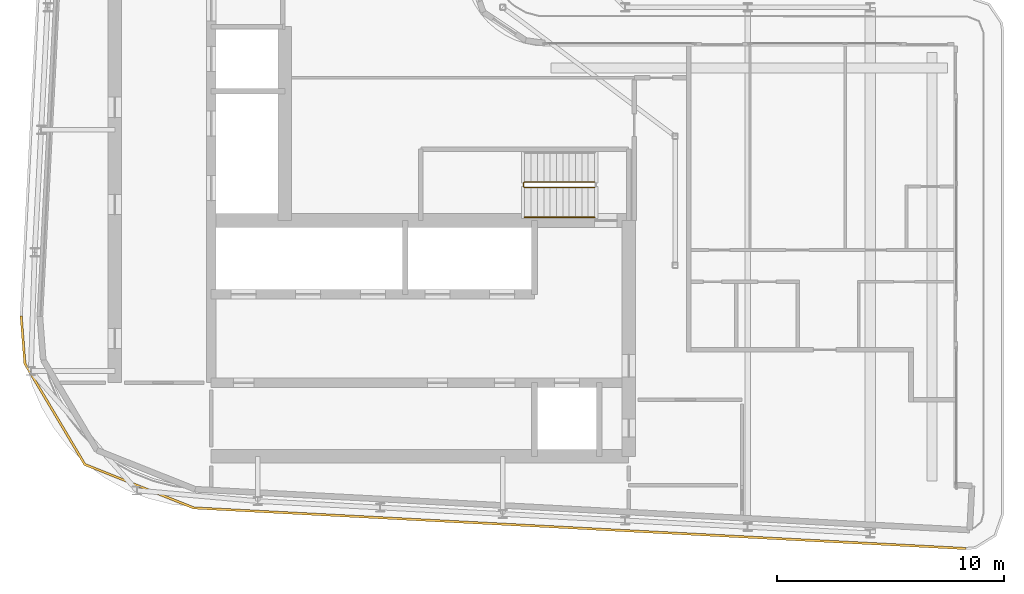
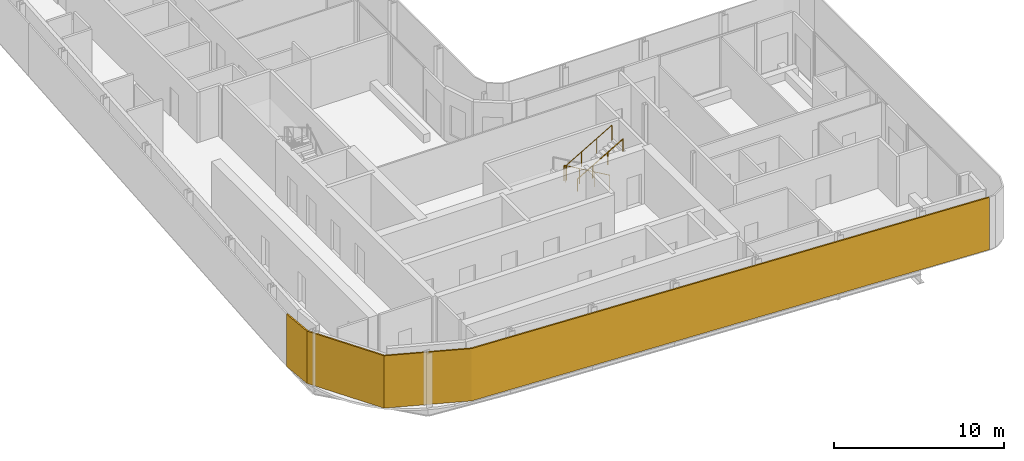
# One storey, part 16 of 21: 2 railings, 1 shading device.
"""IFC4 building model written with IfcOpenShell, lengths in metres."""

from ifc_helpers import new_model, si_unit, direction, frame, origin, origin_2d, place, context, subcontext, project, spatial, polyline, circle, outline, extrude, material, layer, layer_set, type_object, element, save


model = new_model("IFC4")

# Units and contexts
model_context = context("Model", 3, precision=1e-05, world=origin(), true_north=direction((0.0, 1.0)))
body_context = subcontext(model_context, "Body", "Model", "MODEL_VIEW")
ifc_project = project(units=[si_unit("LENGTHUNIT", "METRE"), si_unit("AREAUNIT", "SQUARE_METRE"), si_unit("VOLUMEUNIT", "CUBIC_METRE"), si_unit("PLANEANGLEUNIT", "RADIAN"), si_unit("MASSUNIT", "GRAM", prefix="KILO")], contexts=[model_context])

# Site, building, storey
site_placement = place(None, origin())
site = spatial("IfcSite", under=ifc_project, at=site_placement, CompositionType="ELEMENT")
building_placement = place(site_placement, origin())
building = spatial("IfcBuilding", under=site, at=building_placement, Name="Kheshtan School and Residences Tower", CompositionType="ELEMENT")
storey_placement = place(building_placement, frame((0.0, 0.0, 309.800048828125)))
storey = spatial("IfcBuildingStorey", under=building, at=storey_placement, Name="L73", CompositionType="ELEMENT", Elevation=309.800048828125)

# Shading device
ifc_material_1 = material(Name="Terracotta baguette, extruded ceramic", Category="masonry")
ifc_layer = layer(ifc_material_1, 0.10009765625)
ifc_layer_set = layer_set([ifc_layer], Name="Ledge screen, terracotta baguettes")
shading_device_type = type_object("IfcShadingDeviceType", Name="Ledge screen, terracotta baguettes", PredefinedType="USERDEFINED", material=ifc_layer_set)
shading_device_placement = place(storey_placement, origin())
element("IfcShadingDevice", 1, at=shading_device_placement, inside=storey, type_object=shading_device_type, Name="Screen L73 3", ObjectType="BAGUETTE", PredefinedType="USERDEFINED", context=body_context, shape_type="SweptSolid", body=[
    extrude(outline(polyline([(68.02099609375, 21.7880859375), (33.989013671875, 23.580078125), (29.2119140625, 25.486083984375), (26.583984375, 29.906982421875), (26.419921875, 31.989013671875), (26.320068359375, 31.98095703125), (26.486083984375, 29.8759765625), (29.14306640625, 25.406005859375), (33.967041015625, 23.48095703125), (68.01611328125, 21.68798828125), (68.02099609375, 21.7880859375)])), origin(), (0.0, 0.0, 1.0), 3.75),
])

# Railings
ifc_material_2 = material(Name="Stainless steel balustrade", Category="steel")
railing_type_1 = type_object("IfcRailingType", Name="Stair guard 1100", PredefinedType="GUARDRAIL", material=ifc_material_2)
railing_1_placement = place(storey_placement, frame((51.64990234375, 37.89990234375, 0.162353515625)))
element("IfcRailing", 2, at=railing_1_placement, inside=storey, type_object=railing_type_1, Name="L73 ST1 stair guard 1", PredefinedType="GUARDRAIL", context=body_context, shape_type="SweptSolid", body=[
    extrude(circle(Radius=0.02392578125, at=origin_2d()), frame((0.0, 0.0, 1.076171875), z_axis=(-0.864873446163, 0.0, 0.501989962173), x_axis=(0.0, -1.0, 0.0)), (0.0, 0.0, 1.0), 3.56103515625),
    extrude(circle(Radius=0.02392578125, at=origin_2d()), frame((-3.079833984375, 0.0, 2.86376953125), z_axis=(-0.708833529934, -0.705375805398, 0.0), x_axis=(0.705375805398, -0.708833529934, 0.0)), (0.0, 0.0, 1.0), 0.070556640625),
    extrude(circle(Radius=0.02392578125, at=origin_2d()), frame((-3.1298828125, -0.0498046875, 2.86376953125), z_axis=(0.0, -1.0, 0.0), x_axis=(1.0, 0.0, 0.0)), (0.0, 0.0, 1.0), 0.150146484375),
    extrude(circle(Radius=0.02392578125, at=origin_2d()), frame((-3.1298828125, -0.199951171875, 2.86376953125), z_axis=(0.282227285176, -0.282227285176, 0.916894497205), x_axis=(0.707106781187, 0.707106781187, 0.0)), (0.0, 0.0, 1.0), 0.17724609375),
    extrude(circle(Radius=0.02392578125, at=origin_2d()), frame((-3.079833984375, -0.25, 3.0263671875), z_axis=(0.864903211148, 0.0, 0.501938676878), x_axis=(0.0, 1.0, 0.0)), (0.0, 0.0, 1.0), 3.560791015625),
    extrude(circle(Radius=0.02099609375, at=origin_2d()), origin(), (0.0, 0.0, 1.0), 1.052001953125),
    extrude(circle(Radius=0.02099609375, at=origin_2d()), frame((-1.026611328125, 0.0, 0.595947265625)), (0.0, 0.0, 1.0), 1.052001953125),
    extrude(circle(Radius=0.02099609375, at=origin_2d()), frame((-2.05322265625, 0.0, 1.191650390625)), (0.0, 0.0, 1.0), 1.052001953125),
    extrude(circle(Radius=0.02099609375, at=origin_2d()), frame((-3.079833984375, 0.0, 1.78759765625)), (0.0, 0.0, 1.0), 1.052001953125),
    extrude(circle(Radius=0.02099609375, at=origin_2d()), frame((-3.1298828125, -0.0498046875, 1.78759765625)), (0.0, 0.0, 1.0), 1.052001953125),
    extrude(circle(Radius=0.02099609375, at=origin_2d()), frame((-3.1298828125, -0.199951171875, 1.78759765625)), (0.0, 0.0, 1.0), 1.052001953125),
    extrude(circle(Radius=0.02099609375, at=origin_2d()), frame((-3.079833984375, -0.25, 1.9501953125)), (0.0, 0.0, 1.0), 1.052001953125),
    extrude(circle(Radius=0.02099609375, at=origin_2d()), frame((-2.05322265625, -0.25, 2.5458984375)), (0.0, 0.0, 1.0), 1.052001953125),
    extrude(circle(Radius=0.02099609375, at=origin_2d()), frame((-1.026611328125, -0.25, 3.141845703125)), (0.0, 0.0, 1.0), 1.052001953125),
    extrude(circle(Radius=0.02099609375, at=origin_2d()), frame((0.0, -0.25, 3.737548828125)), (0.0, 0.0, 1.0), 1.052001953125),
])
ifc_material_3 = material(Name="Stainless steel handrail", Category="steel")
railing_type_2 = type_object("IfcRailingType", Name="Stair handrail 900", PredefinedType="HANDRAIL", material=ifc_material_3)
railing_2_placement = place(storey_placement, frame((48.570068359375, 36.35009765625, 2.112548828125)))
element("IfcRailing", 3, at=railing_2_placement, inside=storey, type_object=railing_type_2, Name="L73 ST1 stair handrail 2", PredefinedType="HANDRAIL", context=body_context, shape_type="SweptSolid", body=[
    extrude(circle(Radius=0.02392578125, at=origin_2d()), frame((0.0, 0.0, 0.8759765625), z_axis=(0.864903211148, 0.0, 0.501938676878), x_axis=(0.0, 1.0, 0.0)), (0.0, 0.0, 1.0), 3.560791015625),
    extrude(circle(Radius=0.02099609375, at=origin_2d()), origin(), (0.0, 0.0, 1.0), 0.851806640625),
    extrude(circle(Radius=0.02099609375, at=origin_2d()), frame((1.026611328125, 0.0, 0.595703125)), (0.0, 0.0, 1.0), 0.851806640625),
    extrude(circle(Radius=0.02099609375, at=origin_2d()), frame((2.05322265625, 0.0, 1.191650390625)), (0.0, 0.0, 1.0), 0.851806640625),
    extrude(circle(Radius=0.02099609375, at=origin_2d()), frame((3.079833984375, 0.0, 1.787353515625)), (0.0, 0.0, 1.0), 0.851806640625),
])

save(model, "model.ifc")
